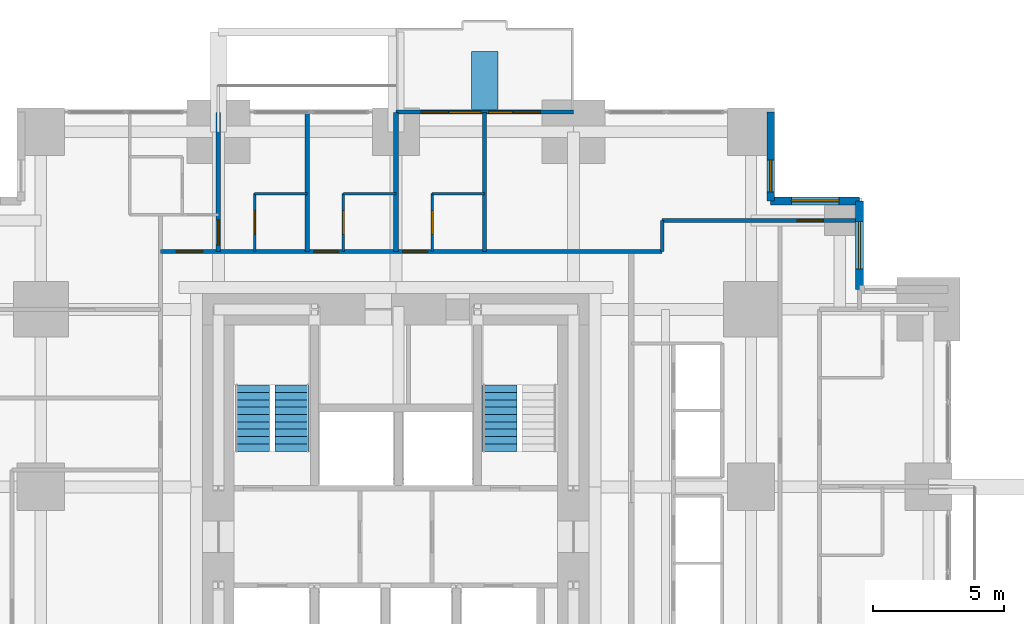
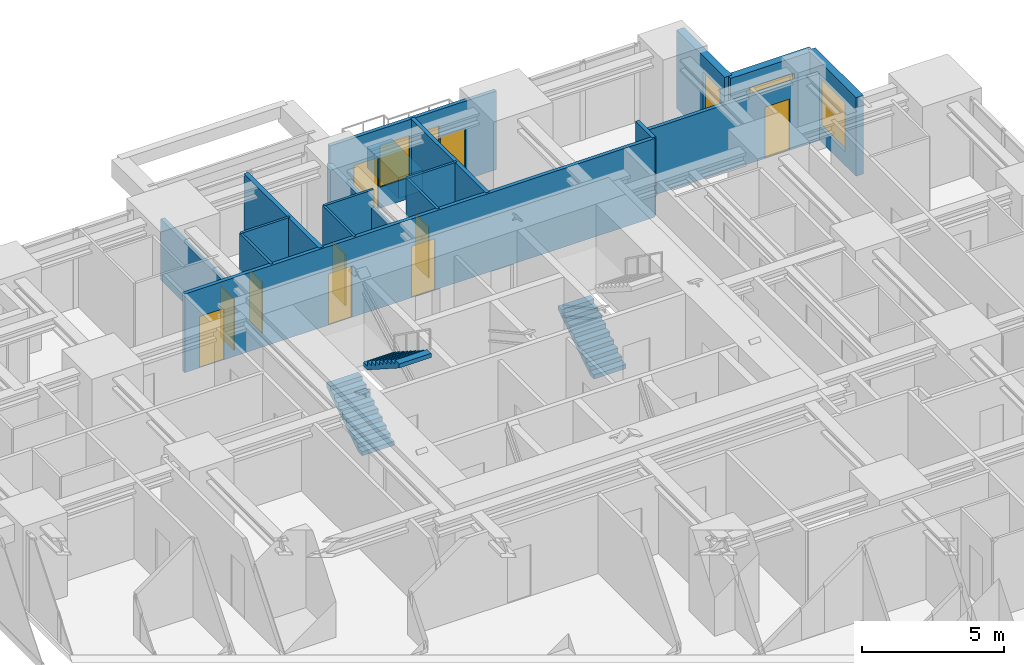
# One storey, part 11 of 13: 18 walls, 10 doors, 5 windows, 3 stair flights, 15 openings, 2 elements without a shape of their own.
"""IFC4 building model written with IfcOpenShell, lengths in metres."""

from ifc_helpers import new_model, si_unit, direction, frame, frame_2d, origin, place, context, subcontext, project, spatial, polyline, rectangle, outline, extrude, material, layer, layer_set, type_object, element, fill, aggregate, save


model = new_model("IFC4")

# Units and contexts
model_context = context("Model", 3, precision=1e-05, world=origin(), true_north=direction((0.0, 1.0)))
body_context = subcontext(model_context, "Body", "Model", "MODEL_VIEW")
ifc_project = project(units=[si_unit("LENGTHUNIT", "METRE"), si_unit("AREAUNIT", "SQUARE_METRE"), si_unit("VOLUMEUNIT", "CUBIC_METRE"), si_unit("PLANEANGLEUNIT", "RADIAN"), si_unit("MASSUNIT", "GRAM", prefix="KILO")], contexts=[model_context])

# Site, building, storey
site_placement = place(None, origin())
site = spatial("IfcSite", under=ifc_project, at=site_placement, CompositionType="ELEMENT")
building_placement = place(site_placement, origin())
building = spatial("IfcBuilding", under=site, at=building_placement, Name="Nyansa Garden Tower", CompositionType="ELEMENT")
storey_placement = place(building_placement, frame((0.0, 0.0, 83.699951171875)))
storey = spatial("IfcBuildingStorey", under=building, at=storey_placement, Name="L22", CompositionType="ELEMENT", Elevation=83.699951171875)

# Wall, opening, door
ifc_material_1 = material(Name="Dense blockwork, plastered both sides, 55 dB", Category="masonry")
ifc_layer_1 = layer(ifc_material_1, 0.175048828125)
ifc_layer_set_1 = layer_set([ifc_layer_1], Name="Acoustic party wall PW175")
wall_type_1 = type_object("IfcWallType", Name="Acoustic party wall PW175", PredefinedType="PARTITIONING", material=ifc_layer_set_1)
wall_1_placement = place(storey_placement, frame((13.5, 29.199951171875, 0.0), z_axis=(0.0, 0.0, 1.0), x_axis=(0.0, 1.0, 0.0)))
wall_1 = element("IfcWall", 1, at=wall_1_placement, inside=storey, type_object=wall_type_1, Name="Party wall", PredefinedType="PARTITIONING", context=body_context, shape_type="SweptSolid", body=[
    extrude(rectangle(XDim=5.283935546875, YDim=0.175048828125, at=frame_2d((2.64208984375, 0.0))), origin(), (0.0, 0.0, 1.0), 2.610107421875),
])
opening_1_placement = place(wall_1_placement, frame((0.25, 0.0, 0.0)))
opening_1 = element("IfcOpeningElement", 2, at=opening_1_placement, cuts=wall_1, Name="Opening D14", PredefinedType="OPENING", context=body_context, shape_type="SweptSolid", body=[
    extrude(rectangle(XDim=0.949951171875, YDim=2.199951171875, at=frame_2d((0.47509765625, 1.10009765625))), frame((0.0, 0.097412109375, 0.0), z_axis=(0.0, -1.0, 0.0), x_axis=(1.0, 0.0, 0.0)), (0.0, 0.0, 1.0), 0.195068359375),
])
ifc_material_2 = material(Name="Timber flush door, 60 minute fire resisting, self-closing", Category="wood")
door_type_1 = type_object("IfcDoorType", Name="Studio entrance door D14 950x2200", OperationType="SINGLE_SWING_LEFT", PredefinedType="DOOR", material=ifc_material_2)
door_1_placement = place(opening_1_placement, origin())
door_1 = element("IfcDoor", 3, at=door_1_placement, inside=storey, type_object=door_type_1, Name="Door L22-047", OperationType="SINGLE_SWING_LEFT", OverallHeight=2.199951171875, OverallWidth=0.949951171875, PredefinedType="DOOR", context=body_context, shape_type="SweptSolid", body=[
    extrude(rectangle(XDim=0.949951171875, YDim=2.199951171875, at=frame_2d((0.47509765625, 1.10009765625))), frame((0.0, 0.02490234375, 0.0), z_axis=(0.0, -1.0, 0.0), x_axis=(1.0, 0.0, 0.0)), (0.0, 0.0, 1.0), 0.050048828125),
])
fill(opening_1, door_1)

# Walls
wall_2_placement = place(storey_placement, frame((16.875, 29.199951171875, 0.0), z_axis=(0.0, 0.0, 1.0), x_axis=(0.0, 1.0, 0.0)))
element("IfcWall", 4, at=wall_2_placement, inside=storey, type_object=wall_type_1, Name="Party wall", PredefinedType="PARTITIONING", context=body_context, shape_type="SweptSolid", body=[
    extrude(rectangle(XDim=5.283935546875, YDim=0.175048828125, at=frame_2d((2.64208984375, 0.0))), origin(), (0.0, 0.0, 1.0), 3.375),
])
wall_3_placement = place(storey_placement, frame((20.25, 29.199951171875, 0.0), z_axis=(0.0, 0.0, 1.0), x_axis=(0.0, 1.0, 0.0)))
element("IfcWall", 5, at=wall_3_placement, inside=storey, type_object=wall_type_1, Name="Party wall", PredefinedType="PARTITIONING", context=body_context, shape_type="SweptSolid", body=[
    extrude(rectangle(XDim=5.283935546875, YDim=0.175048828125, at=frame_2d((2.64208984375, 0.0))), origin(), (0.0, 0.0, 1.0), 2.610107421875),
])

# Wall, openings, doors, windows
ifc_material_3 = material(Name="Black aluminium framed glazed screen", Category="aluminium")
ifc_layer_2 = layer(ifc_material_3, 0.14990234375)
ifc_layer_set_2 = layer_set([ifc_layer_2], Name="Balcony screen wall BW150")
wall_type_2 = type_object("IfcWallType", Name="Balcony screen wall BW150", PredefinedType="SOLIDWALL", material=ifc_layer_set_2)
wall_4_placement = place(storey_placement, frame((20.25, 34.5, 0.0), z_axis=(0.0, 0.0, 1.0), x_axis=(1.0, 0.0, 0.0)))
wall_4 = element("IfcWall", 6, at=wall_4_placement, inside=storey, type_object=wall_type_2, Name="Glazed screen wall L22 N", PredefinedType="SOLIDWALL", context=body_context, shape_type="SweptSolid", body=[
    extrude(rectangle(XDim=6.75, YDim=0.14990234375, at=frame_2d((3.375, 0.0))), origin(), (0.0, 0.0, 1.0), 3.375),
])
opening_2_placement = place(wall_4_placement, frame((0.96240234375, 0.0, 0.0)))
opening_2 = element("IfcOpeningElement", 7, at=opening_2_placement, cuts=wall_4, Name="Opening D20", PredefinedType="OPENING", context=body_context, shape_type="SweptSolid", body=[
    extrude(rectangle(XDim=1.0, YDim=2.199951171875, at=frame_2d((0.5, 1.10009765625))), frame((0.0, 0.0849609375, 0.0), z_axis=(0.0, -1.0, 0.0), x_axis=(1.0, 0.0, 0.0)), (0.0, 0.0, 1.0), 0.169921875),
])
opening_3_placement = place(wall_4_placement, frame((2.02490234375, 0.0, 0.89990234375)))
opening_3 = element("IfcOpeningElement", 8, at=opening_3_placement, cuts=wall_4, Name="Opening W6", PredefinedType="OPENING", context=body_context, shape_type="SweptSolid", body=[
    extrude(rectangle(XDim=1.199951171875, YDim=1.800048828125, at=frame_2d((0.60009765625, 0.89990234375))), frame((0.0, 0.0849609375, 0.0), z_axis=(0.0, -1.0, 0.0), x_axis=(1.0, 0.0, 0.0)), (0.0, 0.0, 1.0), 0.169921875),
])
opening_4_placement = place(wall_4_placement, frame((4.487548828125, 0.0, 0.0)))
opening_4 = element("IfcOpeningElement", 9, at=opening_4_placement, cuts=wall_4, Name="Opening D20", PredefinedType="OPENING", context=body_context, shape_type="SweptSolid", body=[
    extrude(rectangle(XDim=1.0, YDim=2.199951171875, at=frame_2d((0.5, 1.10009765625))), frame((0.0, 0.0849609375, 0.0), z_axis=(0.0, -1.0, 0.0), x_axis=(1.0, 0.0, 0.0)), (0.0, 0.0, 1.0), 0.169921875),
])
opening_5_placement = place(wall_4_placement, frame((3.52490234375, 0.0, 0.89990234375)))
opening_5 = element("IfcOpeningElement", 10, at=opening_5_placement, cuts=wall_4, Name="Opening W7", PredefinedType="OPENING", context=body_context, shape_type="SweptSolid", body=[
    extrude(rectangle(XDim=0.89990234375, YDim=1.800048828125, at=frame_2d((0.449951171875, 0.89990234375))), frame((0.0, 0.0849609375, 0.0), z_axis=(0.0, -1.0, 0.0), x_axis=(1.0, 0.0, 0.0)), (0.0, 0.0, 1.0), 0.169921875),
])
ifc_material_4 = material(Name="Black aluminium framed glazed door", Category="aluminium")
door_type_2 = type_object("IfcDoorType", Name="Balcony door D20 1000x2200", OperationType="NOTDEFINED", PredefinedType="DOOR", material=ifc_material_4)
door_2_placement = place(opening_2_placement, origin())
door_2 = element("IfcDoor", 11, at=door_2_placement, inside=storey, type_object=door_type_2, Name="Balcony door L22", OperationType="SINGLE_SWING_LEFT", OverallHeight=2.199951171875, OverallWidth=1.0, PredefinedType="DOOR", context=body_context, shape_type="SweptSolid", body=[
    extrude(rectangle(XDim=1.0, YDim=2.199951171875, at=frame_2d((0.5, 1.10009765625))), frame((0.0, 0.02490234375, 0.0), z_axis=(0.0, -1.0, 0.0), x_axis=(1.0, 0.0, 0.0)), (0.0, 0.0, 1.0), 0.050048828125),
])
fill(opening_2, door_2)
door_3_placement = place(opening_4_placement, origin())
door_3 = element("IfcDoor", 12, at=door_3_placement, inside=storey, type_object=door_type_2, Name="Balcony door L22", OperationType="SINGLE_SWING_RIGHT", OverallHeight=2.199951171875, OverallWidth=1.0, PredefinedType="DOOR", context=body_context, shape_type="SweptSolid", body=[
    extrude(rectangle(XDim=1.0, YDim=2.199951171875, at=frame_2d((0.5, 1.10009765625))), frame((0.0, 0.02490234375, 0.0), z_axis=(0.0, -1.0, 0.0), x_axis=(1.0, 0.0, 0.0)), (0.0, 0.0, 1.0), 0.050048828125),
])
fill(opening_4, door_3)
ifc_material_5 = material(Name="Black aluminium frame, dark tinted double glazing", Category="aluminium")
window_type_1 = type_object("IfcWindowType", Name="Balcony window W6 1200x1800", PartitioningType="SINGLE_PANEL", PredefinedType="WINDOW", material=ifc_material_5)
window_1_placement = place(opening_3_placement, origin())
window_1 = element("IfcWindow", 13, at=window_1_placement, inside=storey, type_object=window_type_1, Name="Window L22", OverallHeight=1.800048828125, OverallWidth=1.199951171875, PartitioningType="SINGLE_PANEL", PredefinedType="WINDOW", context=body_context, shape_type="SweptSolid", body=[
    extrude(rectangle(XDim=1.199951171875, YDim=1.800048828125, at=frame_2d((0.60009765625, 0.89990234375))), frame((0.0, 0.030029296875, 0.0), z_axis=(0.0, -1.0, 0.0), x_axis=(1.0, 0.0, 0.0)), (0.0, 0.0, 1.0), 0.06005859375),
])
fill(opening_3, window_1)
ifc_material_6 = material(Name="Black aluminium frame, dark tinted double glazing", Category="aluminium")
window_type_2 = type_object("IfcWindowType", Name="Balcony window W7 900x1800", PartitioningType="SINGLE_PANEL", PredefinedType="WINDOW", material=ifc_material_6)
window_2_placement = place(opening_5_placement, origin())
window_2 = element("IfcWindow", 14, at=window_2_placement, inside=storey, type_object=window_type_2, Name="Window L22", OverallHeight=1.800048828125, OverallWidth=0.89990234375, PartitioningType="SINGLE_PANEL", PredefinedType="WINDOW", context=body_context, shape_type="SweptSolid", body=[
    extrude(rectangle(XDim=0.89990234375, YDim=1.800048828125, at=frame_2d((0.449951171875, 0.89990234375))), frame((0.0, 0.030029296875, 0.0), z_axis=(0.0, -1.0, 0.0), x_axis=(1.0, 0.0, 0.0)), (0.0, 0.0, 1.0), 0.06005859375),
])
fill(opening_5, window_2)

# Wall, openings, doors
ifc_material_7 = material(Name="Blockwork, plastered both sides", Category="masonry")
ifc_layer_3 = layer(ifc_material_7, 0.14990234375)
ifc_layer_set_3 = layer_set([ifc_layer_3], Name="Partition PW150")
wall_type_3 = type_object("IfcWallType", Name="Partition PW150", PredefinedType="PARTITIONING", material=ifc_layer_set_3)
wall_5_placement = place(storey_placement, frame((11.300048828125, 29.199951171875, 0.0), z_axis=(0.0, 0.0, 1.0), x_axis=(1.0, 0.0, 0.0)))
wall_5 = element("IfcWall", 15, at=wall_5_placement, inside=storey, type_object=wall_type_3, Name="Partition", PredefinedType="PARTITIONING", context=body_context, shape_type="SweptSolid", body=[
    extrude(rectangle(XDim=19.074951171875, YDim=0.14990234375, at=frame_2d((9.53759765625, 0.0))), origin(), (0.0, 0.0, 1.0), 3.375),
])
opening_6_placement = place(wall_5_placement, frame((5.824951171875, 0.0, 0.0)))
opening_6 = element("IfcOpeningElement", 16, at=opening_6_placement, cuts=wall_5, Name="Opening D14", PredefinedType="OPENING", context=body_context, shape_type="SweptSolid", body=[
    extrude(rectangle(XDim=0.949951171875, YDim=2.199951171875, at=frame_2d((0.47509765625, 1.10009765625))), frame((0.0, 0.0849609375, 0.0), z_axis=(0.0, -1.0, 0.0), x_axis=(1.0, 0.0, 0.0)), (0.0, 0.0, 1.0), 0.169921875),
])
opening_7_placement = place(wall_5_placement, frame((9.199951171875, 0.0, 0.0)))
opening_7 = element("IfcOpeningElement", 17, at=opening_7_placement, cuts=wall_5, Name="Opening D14", PredefinedType="OPENING", context=body_context, shape_type="SweptSolid", body=[
    extrude(rectangle(XDim=0.949951171875, YDim=2.199951171875, at=frame_2d((0.47509765625, 1.10009765625))), frame((0.0, 0.0849609375, 0.0), z_axis=(0.0, -1.0, 0.0), x_axis=(1.0, 0.0, 0.0)), (0.0, 0.0, 1.0), 0.169921875),
])
opening_8_placement = place(wall_5_placement, frame((0.60009765625, 0.0, 0.0)))
opening_8 = element("IfcOpeningElement", 18, at=opening_8_placement, cuts=wall_5, Name="Opening D03", PredefinedType="OPENING", context=body_context, shape_type="SweptSolid", body=[
    extrude(rectangle(XDim=1.0, YDim=2.199951171875, at=frame_2d((0.5, 1.10009765625))), frame((0.0, 0.0849609375, 0.0), z_axis=(0.0, -1.0, 0.0), x_axis=(1.0, 0.0, 0.0)), (0.0, 0.0, 1.0), 0.169921875),
])
ifc_material_8 = material(Name="Timber flush door, 60 minute fire resisting", Category="wood")
door_type_3 = type_object("IfcDoorType", Name="Cluster entrance door D03 1000x2200", OperationType="SINGLE_SWING_LEFT", PredefinedType="DOOR", material=ifc_material_8)
door_4_placement = place(opening_8_placement, origin())
door_4 = element("IfcDoor", 19, at=door_4_placement, inside=storey, type_object=door_type_3, Name="Door L22-053", OperationType="SINGLE_SWING_LEFT", OverallHeight=2.199951171875, OverallWidth=1.0, PredefinedType="DOOR", context=body_context, shape_type="SweptSolid", body=[
    extrude(rectangle(XDim=1.0, YDim=2.199951171875, at=frame_2d((0.5, 1.10009765625))), frame((0.0, 0.02490234375, 0.0), z_axis=(0.0, -1.0, 0.0), x_axis=(1.0, 0.0, 0.0)), (0.0, 0.0, 1.0), 0.050048828125),
])
fill(opening_8, door_4)
door_5_placement = place(opening_6_placement, origin())
door_5 = element("IfcDoor", 20, at=door_5_placement, inside=storey, type_object=door_type_1, Name="Door L22-049", OperationType="SINGLE_SWING_LEFT", OverallHeight=2.199951171875, OverallWidth=0.949951171875, PredefinedType="DOOR", context=body_context, shape_type="SweptSolid", body=[
    extrude(rectangle(XDim=0.949951171875, YDim=2.199951171875, at=frame_2d((0.47509765625, 1.10009765625))), frame((0.0, 0.02490234375, 0.0), z_axis=(0.0, -1.0, 0.0), x_axis=(1.0, 0.0, 0.0)), (0.0, 0.0, 1.0), 0.050048828125),
])
fill(opening_6, door_5)
door_6_placement = place(opening_7_placement, origin())
door_6 = element("IfcDoor", 21, at=door_6_placement, inside=storey, type_object=door_type_1, Name="Door L22-051", OperationType="SINGLE_SWING_LEFT", OverallHeight=2.199951171875, OverallWidth=0.949951171875, PredefinedType="DOOR", context=body_context, shape_type="SweptSolid", body=[
    extrude(rectangle(XDim=0.949951171875, YDim=2.199951171875, at=frame_2d((0.47509765625, 1.10009765625))), frame((0.0, 0.02490234375, 0.0), z_axis=(0.0, -1.0, 0.0), x_axis=(1.0, 0.0, 0.0)), (0.0, 0.0, 1.0), 0.050048828125),
])
fill(opening_7, door_6)

# Walls
wall_6_placement = place(storey_placement, frame((23.625, 29.199951171875, 0.0), z_axis=(0.0, 0.0, 1.0), x_axis=(0.0, 1.0, 0.0)))
element("IfcWall", 22, at=wall_6_placement, inside=storey, type_object=wall_type_3, Name="Partition", PredefinedType="PARTITIONING", context=body_context, shape_type="SweptSolid", body=[
    extrude(rectangle(XDim=5.283935546875, YDim=0.14990234375, at=frame_2d((2.64208984375, 0.0))), origin(), (0.0, 0.0, 1.0), 3.375),
])
wall_7_placement = place(storey_placement, frame((30.375, 29.199951171875, 0.0), z_axis=(0.0, 0.0, 1.0), x_axis=(0.0, 1.0, 0.0)))
element("IfcWall", 23, at=wall_7_placement, inside=storey, type_object=wall_type_3, Name="Partition", PredefinedType="PARTITIONING", context=body_context, shape_type="SweptSolid", body=[
    extrude(rectangle(XDim=1.175048828125, YDim=0.14990234375, at=frame_2d((0.58740234375, 0.0))), origin(), (0.0, 0.0, 1.0), 3.375),
])

# Wall, opening, door
wall_8_placement = place(storey_placement, frame((30.375, 30.375, 0.0), z_axis=(0.0, 0.0, 1.0), x_axis=(1.0, 0.0, 0.0)))
wall_8 = element("IfcWall", 24, at=wall_8_placement, inside=storey, type_object=wall_type_3, Name="Partition", PredefinedType="PARTITIONING", context=body_context, shape_type="SweptSolid", body=[
    extrude(rectangle(XDim=7.35009765625, YDim=0.14990234375, at=frame_2d((3.675048828125, 0.0))), origin(), (0.0, 0.0, 1.0), 2.876953125),
])
opening_9_placement = place(wall_8_placement, frame((5.125, 0.0, 0.0)))
opening_9 = element("IfcOpeningElement", 25, at=opening_9_placement, cuts=wall_8, Name="Opening D03", PredefinedType="OPENING", context=body_context, shape_type="SweptSolid", body=[
    extrude(rectangle(XDim=1.0, YDim=2.199951171875, at=frame_2d((0.5, 1.10009765625))), frame((0.0, 0.0849609375, 0.0), z_axis=(0.0, -1.0, 0.0), x_axis=(1.0, 0.0, 0.0)), (0.0, 0.0, 1.0), 0.169921875),
])
door_7_placement = place(opening_9_placement, origin())
door_7 = element("IfcDoor", 26, at=door_7_placement, inside=storey, type_object=door_type_3, Name="Door L22-044", OperationType="SINGLE_SWING_LEFT", OverallHeight=2.199951171875, OverallWidth=1.0, PredefinedType="DOOR", context=body_context, shape_type="SweptSolid", body=[
    extrude(rectangle(XDim=1.0, YDim=2.199951171875, at=frame_2d((0.5, 1.10009765625))), frame((0.0, 0.02490234375, 0.0), z_axis=(0.0, -1.0, 0.0), x_axis=(1.0, 0.0, 0.0)), (0.0, 0.0, 1.0), 0.050048828125),
])
fill(opening_9, door_7)

# Wall, opening, window
ifc_material_9 = material(Name="Turquoise glazed tile on concrete blockwork", Category="masonry")
ifc_layer_4 = layer(ifc_material_9, 0.300048828125)
ifc_layer_set_4 = layer_set([ifc_layer_4], Name="Tiled corner wall TW300")
wall_type_4 = type_object("IfcWallType", Name="Tiled corner wall TW300", PredefinedType="SOLIDWALL", material=ifc_layer_set_4)
wall_9_placement = place(storey_placement, frame((37.875, 27.75, 0.0), z_axis=(0.0, 0.0, 1.0), x_axis=(0.0, 1.0, 0.0)))
wall_9 = element("IfcWall", 27, at=wall_9_placement, inside=storey, type_object=wall_type_4, Name="Tiled corner wall L22", PredefinedType="SOLIDWALL", context=body_context, shape_type="SweptSolid", body=[
    extrude(rectangle(XDim=3.375, YDim=0.300048828125, at=frame_2d((1.6875, 0.0))), origin(), (0.0, 0.0, 1.0), 3.375),
])
opening_10_placement = place(wall_9_placement, frame((0.78759765625, 0.0, 0.60009765625)))
opening_10 = element("IfcOpeningElement", 28, at=opening_10_placement, cuts=wall_9, Name="Opening W2", PredefinedType="OPENING", context=body_context, shape_type="SweptSolid", body=[
    extrude(rectangle(XDim=1.800048828125, YDim=2.10009765625, at=frame_2d((0.89990234375, 1.050048828125))), frame((0.0, 0.159912109375, 0.0), z_axis=(0.0, -1.0, 0.0), x_axis=(1.0, 0.0, 0.0)), (0.0, 0.0, 1.0), 0.320068359375),
])
ifc_material_10 = material(Name="Black aluminium frame, dark tinted double glazing", Category="aluminium")
window_type_3 = type_object("IfcWindowType", Name="Window W2 1800x2100", PartitioningType="SINGLE_PANEL", PredefinedType="WINDOW", material=ifc_material_10)
window_3_placement = place(opening_10_placement, origin())
window_3 = element("IfcWindow", 29, at=window_3_placement, inside=storey, type_object=window_type_3, Name="Corner window L22", OverallHeight=2.10009765625, OverallWidth=1.800048828125, PartitioningType="SINGLE_PANEL", PredefinedType="WINDOW", context=body_context, shape_type="SweptSolid", body=[
    extrude(rectangle(XDim=1.800048828125, YDim=2.10009765625, at=frame_2d((0.89990234375, 1.050048828125))), frame((0.0, 0.030029296875, 0.0), z_axis=(0.0, -1.0, 0.0), x_axis=(1.0, 0.0, 0.0)), (0.0, 0.0, 1.0), 0.06005859375),
])
fill(opening_10, window_3)

wall_10_placement = place(storey_placement, frame((37.875, 31.125, 0.0), z_axis=(0.0, 0.0, 1.0), x_axis=(-1.0, 0.0, 0.0)))
wall_10 = element("IfcWall", 30, at=wall_10_placement, inside=storey, type_object=wall_type_4, Name="Tiled corner wall L22", PredefinedType="SOLIDWALL", context=body_context, shape_type="SweptSolid", body=[
    extrude(rectangle(XDim=3.375, YDim=0.300048828125, at=frame_2d((1.6875, 0.0))), origin(), (0.0, 0.0, 1.0), 3.375),
])
opening_11_placement = place(wall_10_placement, frame((0.78759765625, 0.0, 0.60009765625)))
opening_11 = element("IfcOpeningElement", 31, at=opening_11_placement, cuts=wall_10, Name="Opening W2", PredefinedType="OPENING", context=body_context, shape_type="SweptSolid", body=[
    extrude(rectangle(XDim=1.800048828125, YDim=2.10009765625, at=frame_2d((0.89990234375, 1.050048828125))), frame((0.0, 0.159912109375, 0.0), z_axis=(0.0, -1.0, 0.0), x_axis=(1.0, 0.0, 0.0)), (0.0, 0.0, 1.0), 0.320068359375),
])
window_4_placement = place(opening_11_placement, origin())
window_4 = element("IfcWindow", 32, at=window_4_placement, inside=storey, type_object=window_type_3, Name="Corner window L22", OverallHeight=2.10009765625, OverallWidth=1.800048828125, PartitioningType="SINGLE_PANEL", PredefinedType="WINDOW", context=body_context, shape_type="SweptSolid", body=[
    extrude(rectangle(XDim=1.800048828125, YDim=2.10009765625, at=frame_2d((0.89990234375, 1.050048828125))), frame((0.0, 0.030029296875, 0.0), z_axis=(0.0, -1.0, 0.0), x_axis=(1.0, 0.0, 0.0)), (0.0, 0.0, 1.0), 0.06005859375),
])
fill(opening_11, window_4)

wall_11_placement = place(storey_placement, frame((34.5, 31.125, 0.0), z_axis=(0.0, 0.0, 1.0), x_axis=(0.0, 1.0, 0.0)))
wall_11 = element("IfcWall", 33, at=wall_11_placement, inside=storey, type_object=wall_type_4, Name="Tiled corner wall L22", PredefinedType="SOLIDWALL", context=body_context, shape_type="SweptSolid", body=[
    extrude(rectangle(XDim=3.375, YDim=0.300048828125, at=frame_2d((1.6875, 0.0))), origin(), (0.0, 0.0, 1.0), 3.375),
])
opening_12_placement = place(wall_11_placement, frame((0.342529296875, 0.0, 0.89990234375)))
opening_12 = element("IfcOpeningElement", 34, at=opening_12_placement, cuts=wall_11, Name="Opening W4", PredefinedType="OPENING", context=body_context, shape_type="SweptSolid", body=[
    extrude(rectangle(XDim=1.199951171875, YDim=1.800048828125, at=frame_2d((0.60009765625, 0.89990234375))), frame((0.0, 0.159912109375, 0.0), z_axis=(0.0, -1.0, 0.0), x_axis=(1.0, 0.0, 0.0)), (0.0, 0.0, 1.0), 0.320068359375),
])
ifc_material_11 = material(Name="Black aluminium frame, dark tinted double glazing", Category="aluminium")
window_type_4 = type_object("IfcWindowType", Name="Window W4 1200x1800", PartitioningType="SINGLE_PANEL", PredefinedType="WINDOW", material=ifc_material_11)
window_5_placement = place(opening_12_placement, origin())
window_5 = element("IfcWindow", 35, at=window_5_placement, inside=storey, type_object=window_type_4, Name="Corner window L22", OverallHeight=1.800048828125, OverallWidth=1.199951171875, PartitioningType="SINGLE_PANEL", PredefinedType="WINDOW", context=body_context, shape_type="SweptSolid", body=[
    extrude(rectangle(XDim=1.199951171875, YDim=1.800048828125, at=frame_2d((0.60009765625, 0.89990234375))), frame((0.0, 0.030029296875, 0.0), z_axis=(0.0, -1.0, 0.0), x_axis=(1.0, 0.0, 0.0)), (0.0, 0.0, 1.0), 0.06005859375),
])
fill(opening_12, window_5)

# Wall
ifc_material_12 = material(Name="Concrete C40/50 planter, waterproofed", Category="concrete")
ifc_layer_5 = layer(ifc_material_12, 1.0)
ifc_layer_set_5 = layer_set([ifc_layer_5], Name="Tree planter TP1")
wall_type_5 = type_object("IfcWallType", Name="Tree planter TP1", PredefinedType="USERDEFINED", material=ifc_layer_set_5)
wall_12_placement = place(storey_placement, frame((23.625, 34.60009765625, 0.0), z_axis=(0.0, 0.0, 1.0), x_axis=(0.0, 1.0, 0.0)))
element("IfcWall", 36, at=wall_12_placement, inside=storey, type_object=wall_type_5, Name="Tree planter L22", ObjectType="TREE PLANTER", PredefinedType="USERDEFINED", context=body_context, shape_type="SweptSolid", body=[
    extrude(rectangle(XDim=2.199951171875, YDim=1.0, at=frame_2d((1.10009765625, 0.0))), origin(), (0.0, 0.0, 1.0), 0.900146484375),
])

# Wall, opening, door
ifc_material_13 = material(Name="Moisture resistant board on steel studs, tiled", Category="steel")
ifc_layer_6 = layer(ifc_material_13, 0.10009765625)
ifc_layer_set_6 = layer_set([ifc_layer_6], Name="Wet wall PW100")
wall_type_6 = type_object("IfcWallType", Name="Wet wall PW100", PredefinedType="PARTITIONING", material=ifc_layer_set_6)
wall_13_placement = place(storey_placement, frame((14.875, 29.199951171875, 0.0), z_axis=(0.0, 0.0, 1.0), x_axis=(0.0, 1.0, 0.0)))
wall_13 = element("IfcWall", 37, at=wall_13_placement, inside=storey, type_object=wall_type_6, Name="Wet wall", PredefinedType="PARTITIONING", context=body_context, shape_type="SweptSolid", body=[
    extrude(rectangle(XDim=2.199951171875, YDim=0.10009765625, at=frame_2d((1.10009765625, 0.0))), origin(), (0.0, 0.0, 1.0), 3.375),
])
opening_13_placement = place(wall_13_placement, frame((0.64990234375, 0.0, 0.0)))
opening_13 = element("IfcOpeningElement", 38, at=opening_13_placement, cuts=wall_13, Name="Opening D02", PredefinedType="OPENING", context=body_context, shape_type="SweptSolid", body=[
    extrude(rectangle(XDim=0.89990234375, YDim=2.199951171875, at=frame_2d((0.449951171875, 1.10009765625))), frame((0.0, 0.06005859375, 0.0), z_axis=(0.0, -1.0, 0.0), x_axis=(1.0, 0.0, 0.0)), (0.0, 0.0, 1.0), 0.1201171875),
])
ifc_material_14 = material(Name="Timber flush door", Category="wood")
door_type_4 = type_object("IfcDoorType", Name="En-suite door D02 900x2200", OperationType="SINGLE_SWING_RIGHT", PredefinedType="DOOR", material=ifc_material_14)
door_8_placement = place(opening_13_placement, origin())
door_8 = element("IfcDoor", 39, at=door_8_placement, inside=storey, type_object=door_type_4, Name="Door L22-048", OperationType="SINGLE_SWING_RIGHT", OverallHeight=2.199951171875, OverallWidth=0.89990234375, PredefinedType="DOOR", context=body_context, shape_type="SweptSolid", body=[
    extrude(rectangle(XDim=0.89990234375, YDim=2.199951171875, at=frame_2d((0.449951171875, 1.10009765625))), frame((0.0, 0.02490234375, 0.0), z_axis=(0.0, -1.0, 0.0), x_axis=(1.0, 0.0, 0.0)), (0.0, 0.0, 1.0), 0.050048828125),
])
fill(opening_13, door_8)

# Wall
wall_14_placement = place(storey_placement, frame((14.875, 31.39990234375, 0.0), z_axis=(0.0, 0.0, 1.0), x_axis=(1.0, 0.0, 0.0)))
element("IfcWall", 40, at=wall_14_placement, inside=storey, type_object=wall_type_6, Name="Wet wall", PredefinedType="PARTITIONING", context=body_context, shape_type="SweptSolid", body=[
    extrude(rectangle(XDim=2.0, YDim=0.10009765625, at=frame_2d((1.0, 0.0))), origin(), (0.0, 0.0, 1.0), 3.375),
])

# Wall, opening, door
wall_15_placement = place(storey_placement, frame((18.25, 29.199951171875, 0.0), z_axis=(0.0, 0.0, 1.0), x_axis=(0.0, 1.0, 0.0)))
wall_15 = element("IfcWall", 41, at=wall_15_placement, inside=storey, type_object=wall_type_6, Name="Wet wall", PredefinedType="PARTITIONING", context=body_context, shape_type="SweptSolid", body=[
    extrude(rectangle(XDim=2.199951171875, YDim=0.10009765625, at=frame_2d((1.10009765625, 0.0))), origin(), (0.0, 0.0, 1.0), 3.375),
])
opening_14_placement = place(wall_15_placement, frame((0.64990234375, 0.0, 0.0)))
opening_14 = element("IfcOpeningElement", 42, at=opening_14_placement, cuts=wall_15, Name="Opening D02", PredefinedType="OPENING", context=body_context, shape_type="SweptSolid", body=[
    extrude(rectangle(XDim=0.89990234375, YDim=2.199951171875, at=frame_2d((0.449951171875, 1.10009765625))), frame((0.0, 0.06005859375, 0.0), z_axis=(0.0, -1.0, 0.0), x_axis=(1.0, 0.0, 0.0)), (0.0, 0.0, 1.0), 0.1201171875),
])
door_9_placement = place(opening_14_placement, origin())
door_9 = element("IfcDoor", 43, at=door_9_placement, inside=storey, type_object=door_type_4, Name="Door L22-050", OperationType="SINGLE_SWING_RIGHT", OverallHeight=2.199951171875, OverallWidth=0.89990234375, PredefinedType="DOOR", context=body_context, shape_type="SweptSolid", body=[
    extrude(rectangle(XDim=0.89990234375, YDim=2.199951171875, at=frame_2d((0.449951171875, 1.10009765625))), frame((0.0, 0.02490234375, 0.0), z_axis=(0.0, -1.0, 0.0), x_axis=(1.0, 0.0, 0.0)), (0.0, 0.0, 1.0), 0.050048828125),
])
fill(opening_14, door_9)

# Wall
wall_16_placement = place(storey_placement, frame((18.25, 31.39990234375, 0.0), z_axis=(0.0, 0.0, 1.0), x_axis=(1.0, 0.0, 0.0)))
element("IfcWall", 44, at=wall_16_placement, inside=storey, type_object=wall_type_6, Name="Wet wall", PredefinedType="PARTITIONING", context=body_context, shape_type="SweptSolid", body=[
    extrude(rectangle(XDim=2.0, YDim=0.10009765625, at=frame_2d((1.0, 0.0))), origin(), (0.0, 0.0, 1.0), 3.375),
])

# Wall, opening, door
wall_17_placement = place(storey_placement, frame((21.625, 29.199951171875, 0.0), z_axis=(0.0, 0.0, 1.0), x_axis=(0.0, 1.0, 0.0)))
wall_17 = element("IfcWall", 45, at=wall_17_placement, inside=storey, type_object=wall_type_6, Name="Wet wall", PredefinedType="PARTITIONING", context=body_context, shape_type="SweptSolid", body=[
    extrude(rectangle(XDim=2.199951171875, YDim=0.10009765625, at=frame_2d((1.10009765625, 0.0))), origin(), (0.0, 0.0, 1.0), 3.375),
])
opening_15_placement = place(wall_17_placement, frame((0.64990234375, 0.0, 0.0)))
opening_15 = element("IfcOpeningElement", 46, at=opening_15_placement, cuts=wall_17, Name="Opening D02", PredefinedType="OPENING", context=body_context, shape_type="SweptSolid", body=[
    extrude(rectangle(XDim=0.89990234375, YDim=2.199951171875, at=frame_2d((0.449951171875, 1.10009765625))), frame((0.0, 0.06005859375, 0.0), z_axis=(0.0, -1.0, 0.0), x_axis=(1.0, 0.0, 0.0)), (0.0, 0.0, 1.0), 0.1201171875),
])
door_10_placement = place(opening_15_placement, origin())
door_10 = element("IfcDoor", 47, at=door_10_placement, inside=storey, type_object=door_type_4, Name="Door L22-052", OperationType="SINGLE_SWING_RIGHT", OverallHeight=2.199951171875, OverallWidth=0.89990234375, PredefinedType="DOOR", context=body_context, shape_type="SweptSolid", body=[
    extrude(rectangle(XDim=0.89990234375, YDim=2.199951171875, at=frame_2d((0.449951171875, 1.10009765625))), frame((0.0, 0.02490234375, 0.0), z_axis=(0.0, -1.0, 0.0), x_axis=(1.0, 0.0, 0.0)), (0.0, 0.0, 1.0), 0.050048828125),
])
fill(opening_15, door_10)

# Wall
wall_18_placement = place(storey_placement, frame((21.625, 31.39990234375, 0.0), z_axis=(0.0, 0.0, 1.0), x_axis=(1.0, 0.0, 0.0)))
element("IfcWall", 48, at=wall_18_placement, inside=storey, type_object=wall_type_6, Name="Wet wall", PredefinedType="PARTITIONING", context=body_context, shape_type="SweptSolid", body=[
    extrude(rectangle(XDim=2.0, YDim=0.10009765625, at=frame_2d((1.0, 0.0))), origin(), (0.0, 0.0, 1.0), 3.375),
])

# Stair, stair flights
ifc_material_15 = material(Name="Precast concrete C40/50", Category="concrete")
stair_type_1 = type_object("IfcStairType", Name="Stair S1 180x280", PredefinedType="HALF_TURN_STAIR", material=ifc_material_15)
stair_1_placement = place(storey_placement, origin())
stair_1 = element("IfcStair", 49, at=stair_1_placement, inside=storey, type_object=stair_type_1, Name="Stair S1 L22", PredefinedType="HALF_TURN_STAIR")
ifc_material_16 = material(Name="Precast concrete C40/50", Category="concrete")
stair_flight_type_1 = type_object("IfcStairFlightType", Name="Stair flight S1 180x280x10", PredefinedType="STRAIGHT", material=ifc_material_16)
stair_flight_1_placement = place(storey_placement, frame((14.800048828125, 21.60009765625, 0.0), z_axis=(0.0, 0.0, 1.0), x_axis=(0.0, 1.0, 0.0)))
stair_flight_1 = element("IfcStairFlight", 50, at=stair_flight_1_placement, type_object=stair_flight_type_1, Name="S1 flight 1", NumberOfRisers=10, NumberOfTreads=9, PredefinedType="STRAIGHT", RiserHeight=0.18, TreadLength=0.28, context=body_context, shape_type="SweptSolid", body=[
    extrude(outline(polyline([(0.0, 0.0), (0.0, 0.179931640625), (0.280029296875, 0.179931640625), (0.280029296875, 0.360107421875), (0.56005859375, 0.360107421875), (0.56005859375, 0.5400390625), (0.840087890625, 0.5400390625), (0.840087890625, 0.719970703125), (1.1201171875, 0.719970703125), (1.1201171875, 0.89990234375), (1.39990234375, 0.89990234375), (1.39990234375, 1.080078125), (1.679931640625, 1.080078125), (1.679931640625, 1.260009765625), (1.9599609375, 1.260009765625), (1.9599609375, 1.43994140625), (2.239990234375, 1.43994140625), (2.239990234375, 1.6201171875), (2.52001953125, 1.6201171875), (2.52001953125, 1.800048828125), (2.52001953125, 1.44189453125), (0.277099609375, 0.0), (0.0, 0.0)])), frame((0.0, 0.64990234375, 0.0), z_axis=(0.0, -1.0, 0.0), x_axis=(1.0, 0.0, 0.0)), (0.0, 0.0, 1.0), 1.300048828125),
])
stair_flight_2_placement = place(storey_placement, frame((16.300048828125, 24.1201171875, 1.800048828125), z_axis=(0.0, 0.0, 1.0), x_axis=(0.0, -1.0, 0.0)))
stair_flight_2 = element("IfcStairFlight", 51, at=stair_flight_2_placement, type_object=stair_flight_type_1, Name="S1 flight 2", NumberOfRisers=10, NumberOfTreads=9, PredefinedType="STRAIGHT", RiserHeight=0.18, TreadLength=0.28, context=body_context, shape_type="SweptSolid", body=[
    extrude(outline(polyline([(0.0, 0.0), (0.0, 0.179931640625), (0.280029296875, 0.179931640625), (0.280029296875, 0.360107421875), (0.56005859375, 0.360107421875), (0.56005859375, 0.5400390625), (0.840087890625, 0.5400390625), (0.840087890625, 0.719970703125), (1.1201171875, 0.719970703125), (1.1201171875, 0.89990234375), (1.39990234375, 0.89990234375), (1.39990234375, 1.080078125), (1.679931640625, 1.080078125), (1.679931640625, 1.260009765625), (1.9599609375, 1.260009765625), (1.9599609375, 1.43994140625), (2.239990234375, 1.43994140625), (2.239990234375, 1.6201171875), (2.52001953125, 1.6201171875), (2.52001953125, 1.800048828125), (2.52001953125, 1.44189453125), (0.277099609375, 0.0), (0.0, 0.0)])), frame((0.0, 0.64990234375, 0.0), z_axis=(0.0, -1.0, 0.0), x_axis=(1.0, 0.0, 0.0)), (0.0, 0.0, 1.0), 1.300048828125),
])
aggregate(stair_1, [stair_flight_1, stair_flight_2])

# Stair, stair flight
ifc_material_17 = material(Name="Precast concrete C40/50", Category="concrete")
stair_type_2 = type_object("IfcStairType", Name="Stair S2 180x280", PredefinedType="HALF_TURN_STAIR", material=ifc_material_17)
stair_2_placement = place(storey_placement, origin())
stair_2 = element("IfcStair", 52, at=stair_2_placement, inside=storey, type_object=stair_type_2, Name="Stair S2 L22", PredefinedType="HALF_TURN_STAIR")
ifc_material_18 = material(Name="Precast concrete C40/50", Category="concrete")
stair_flight_type_2 = type_object("IfcStairFlightType", Name="Stair flight S2 180x280x10", PredefinedType="STRAIGHT", material=ifc_material_18)
stair_flight_3_placement = place(storey_placement, frame((24.199951171875, 21.60009765625, 0.0), z_axis=(0.0, 0.0, 1.0), x_axis=(0.0, 1.0, 0.0)))
stair_flight_3 = element("IfcStairFlight", 53, at=stair_flight_3_placement, type_object=stair_flight_type_2, Name="S2 flight 1", NumberOfRisers=10, NumberOfTreads=9, PredefinedType="STRAIGHT", RiserHeight=0.18, TreadLength=0.28, context=body_context, shape_type="SweptSolid", body=[
    extrude(outline(polyline([(0.0, 0.0), (0.0, 0.179931640625), (0.280029296875, 0.179931640625), (0.280029296875, 0.360107421875), (0.56005859375, 0.360107421875), (0.56005859375, 0.5400390625), (0.840087890625, 0.5400390625), (0.840087890625, 0.719970703125), (1.1201171875, 0.719970703125), (1.1201171875, 0.89990234375), (1.39990234375, 0.89990234375), (1.39990234375, 1.080078125), (1.679931640625, 1.080078125), (1.679931640625, 1.260009765625), (1.9599609375, 1.260009765625), (1.9599609375, 1.43994140625), (2.239990234375, 1.43994140625), (2.239990234375, 1.6201171875), (2.52001953125, 1.6201171875), (2.52001953125, 1.800048828125), (2.52001953125, 1.44189453125), (0.277099609375, 0.0), (0.0, 0.0)])), frame((0.0, 0.64990234375, 0.0), z_axis=(0.0, -1.0, 0.0), x_axis=(1.0, 0.0, 0.0)), (0.0, 0.0, 1.0), 1.300048828125),
])
aggregate(stair_2, [stair_flight_3])

save(model, "model.ifc")
